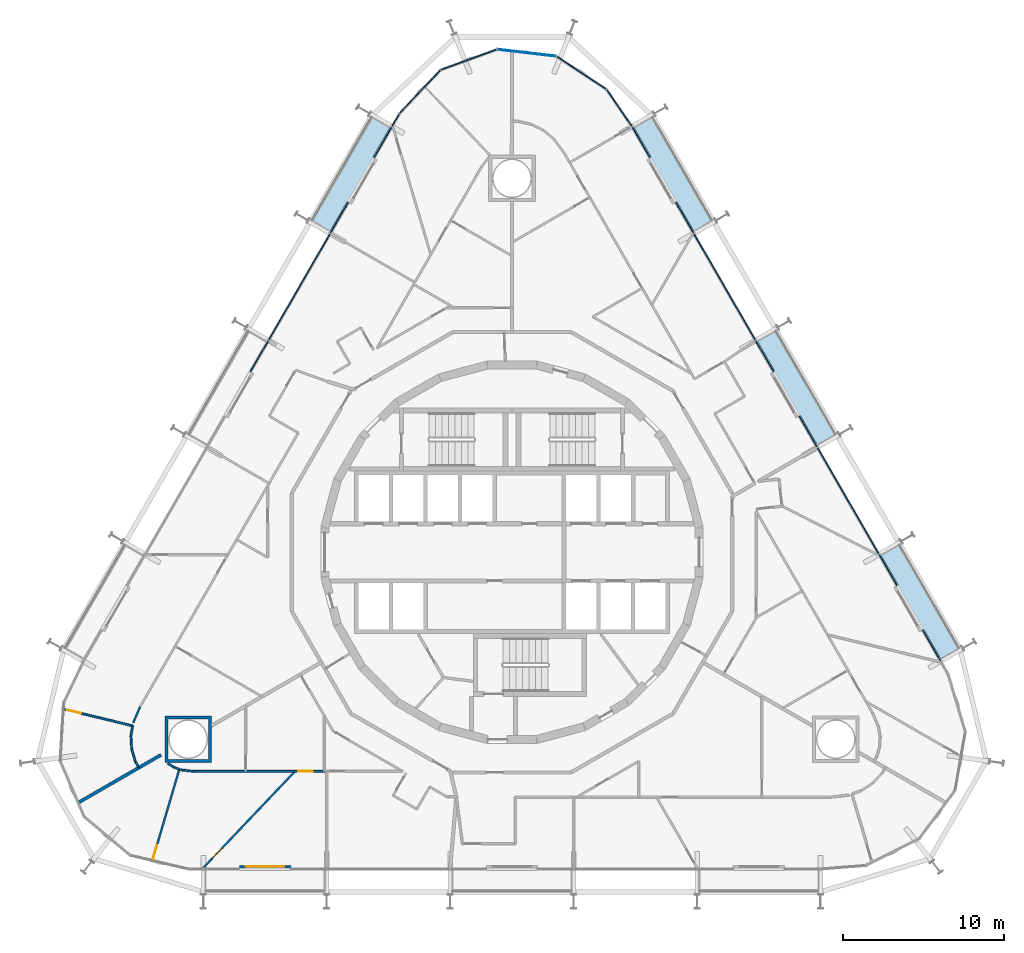
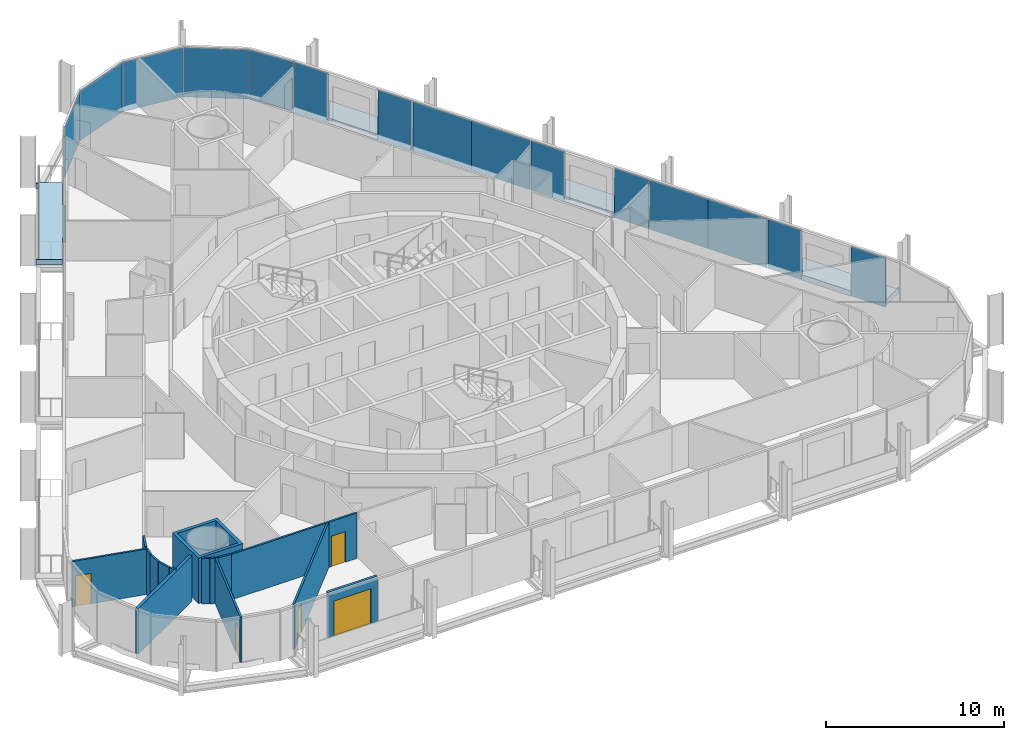
# One storey, part 12 of 21: 21 plates, 15 walls, 5 doors, 4 slabs, 5 openings, 3 elements without a shape of their own.
"""IFC4 building model written with IfcOpenShell, lengths in metres."""

from ifc_helpers import new_model, si_unit, direction, frame, frame_2d, origin, origin_2d, place, context, subcontext, project, spatial, polyline, rectangle, outline, extrude, material, layer, layer_set, type_object, element, fill, aggregate, save


model = new_model("IFC4")

# Units and contexts
model_context = context("Model", 3, precision=1e-05, world=origin(), true_north=direction((0.0, 1.0)))
body_context = subcontext(model_context, "Body", "Model", "MODEL_VIEW")
ifc_project = project(units=[si_unit("LENGTHUNIT", "METRE"), si_unit("AREAUNIT", "SQUARE_METRE"), si_unit("VOLUMEUNIT", "CUBIC_METRE"), si_unit("PLANEANGLEUNIT", "RADIAN"), si_unit("MASSUNIT", "GRAM", prefix="KILO")], contexts=[model_context])

# Site, building, storey
site_placement = place(None, origin())
site = spatial("IfcSite", under=ifc_project, at=site_placement, CompositionType="ELEMENT")
building_placement = place(site_placement, origin())
building = spatial("IfcBuilding", under=site, at=building_placement, Name="Spindle Arch Residences", CompositionType="ELEMENT")
storey_placement = place(building_placement, frame((0.0, 0.0, 62.89990234375)))
storey = spatial("IfcBuildingStorey", under=building, at=storey_placement, Name="L14", CompositionType="ELEMENT", Elevation=62.89990234375)

# Slabs
ifc_material_1 = material(Name="Concrete C40/50", Category="concrete")
ifc_layer_1 = layer(ifc_material_1, 0.3798828125)
ifc_layer_set_1 = layer_set([ifc_layer_1], Name="Balcony slab 380")
slab_type = type_object("IfcSlabType", Name="Balcony slab 380", PredefinedType="FLOOR", material=ifc_layer_set_1)
slab_1_placement = place(storey_placement, frame((0.0, 0.0, -0.3798828125)))
element("IfcSlab", 1, at=slab_1_placement, inside=storey, type_object=slab_type, Name="Balcony L14 bay 6", PredefinedType="FLOOR", context=body_context, shape_type="SweptSolid", body=[
    extrude(outline(polyline([(27.991455078125, -5.9228515625), (27.9541015625, -5.85791015625), (27.82421875, -5.93310546875), (24.134033203125, 0.458251953125), (24.263916015625, 0.533447265625), (24.2265625, 0.598388671875), (22.93603515625, -0.146728515625), (24.0185546875, -2.021728515625), (23.880126953125, -2.1015625), (25.47998046875, -4.873046875), (25.61865234375, -4.79296875), (26.701171875, -6.66796875), (27.991455078125, -5.9228515625)])), origin(), (0.0, 0.0, 1.0), 0.3798828125),
])
slab_2_placement = place(storey_placement, frame((0.0, 0.0, -0.3798828125)))
element("IfcSlab", 2, at=slab_2_placement, inside=storey, type_object=slab_type, Name="Balcony L14 bay 8", PredefinedType="FLOOR", context=body_context, shape_type="SweptSolid", body=[
    extrude(outline(polyline([(20.3115234375, 7.37939453125), (20.27392578125, 7.4443359375), (20.14404296875, 7.369384765625), (16.4541015625, 13.760498046875), (16.583984375, 13.835693359375), (16.54638671875, 13.900634765625), (15.256103515625, 13.155517578125), (16.338623046875, 11.280517578125), (16.199951171875, 11.20068359375), (17.800048828125, 8.42919921875), (17.9384765625, 8.50927734375), (19.02099609375, 6.63427734375), (20.3115234375, 7.37939453125)])), origin(), (0.0, 0.0, 1.0), 0.3798828125),
])
slab_3_placement = place(storey_placement, frame((0.0, 0.0, -0.3798828125)))
element("IfcSlab", 3, at=slab_3_placement, inside=storey, type_object=slab_type, Name="Balcony L14 bay 10", PredefinedType="FLOOR", context=body_context, shape_type="SweptSolid", body=[
    extrude(outline(polyline([(12.63134765625, 20.681640625), (12.593994140625, 20.74658203125), (12.4638671875, 20.671630859375), (8.77392578125, 27.06298828125), (8.90380859375, 27.137939453125), (8.866455078125, 27.202880859375), (7.575927734375, 26.457763671875), (8.658447265625, 24.582763671875), (8.52001953125, 24.5029296875), (10.119873046875, 21.731689453125), (10.258544921875, 21.8115234375), (11.341064453125, 19.9365234375), (12.63134765625, 20.681640625)])), origin(), (0.0, 0.0, 1.0), 0.3798828125),
])
slab_4_placement = place(storey_placement, frame((0.0, 0.0, -0.3798828125)))
element("IfcSlab", 4, at=slab_4_placement, inside=storey, type_object=slab_type, Name="Balcony L14 bay 14", PredefinedType="FLOOR", context=body_context, shape_type="SweptSolid", body=[
    extrude(outline(polyline([(-8.866455078125, 27.202880859375), (-8.90380859375, 27.137939453125), (-8.77392578125, 27.06298828125), (-12.4638671875, 20.671630859375), (-12.593994140625, 20.74658203125), (-12.63134765625, 20.681640625), (-11.341064453125, 19.9365234375), (-10.258544921875, 21.8115234375), (-10.119873046875, 21.731689453125), (-8.52001953125, 24.5029296875), (-8.658447265625, 24.582763671875), (-7.575927734375, 26.457763671875), (-8.866455078125, 27.202880859375)])), origin(), (0.0, 0.0, 1.0), 0.3798828125),
])

# Curtain wall, plates
ifc_material_2 = material(Name="Aluminium bronze unitised frame with tinted glass", Category="aluminium")
ifc_layer_2 = layer(ifc_material_2, 0.159912109375)
ifc_layer_set_2 = layer_set([ifc_layer_2], Name="CW-C typical residential unitised wall")
curtain_wall_type_1 = type_object("IfcCurtainWallType", Name="CW-C typical residential unitised wall", PredefinedType="NOTDEFINED", material=ifc_layer_set_2)
curtain_wall_1_placement = place(storey_placement, origin())
curtain_wall_1 = element("IfcCurtainWall", 5, at=curtain_wall_1_placement, inside=storey, type_object=curtain_wall_type_1, Name="CW-C L14 run 2", PredefinedType="NOTDEFINED")
ifc_material_3 = material(Name="Tinted double glazing over aluminium faced non-combustible spandrel zone (K0)", Category="aluminium")
ifc_layer_3 = layer(ifc_material_3, 0.06005859375)
ifc_layer_set_3 = layer_set([ifc_layer_3], Name="Unitised glass panel with E 60 spandrel zone")
plate_type = type_object("IfcPlateType", Name="Unitised glass panel with E 60 spandrel zone", PredefinedType="CURTAIN_PANEL", material=ifc_layer_set_3)
plate_1_placement = place(storey_placement, frame((26.101806640625, -5.7900390625, -0.3798828125), z_axis=(0.0, 0.0, 1.0), x_axis=(-0.5, 0.866025403784, 0.0)))
plate_1 = element("IfcPlate", 6, at=plate_1_placement, type_object=plate_type, Name="CW-C unit 05L", PredefinedType="CURTAIN_PANEL", context=body_context, shape_type="SweptSolid", body=[
    extrude(rectangle(XDim=2.2099609375, YDim=0.06005859375, at=origin_2d()), origin(), (0.0, 0.0, 1.0), 3.3798828125),
])
plate_2_placement = place(storey_placement, frame((23.396728515625, -1.104736328125, -0.3798828125), z_axis=(0.0, 0.0, 1.0), x_axis=(-0.5, 0.866025403784, 0.0)))
plate_2 = element("IfcPlate", 7, at=plate_2_placement, type_object=plate_type, Name="CW-C unit 05R", PredefinedType="CURTAIN_PANEL", context=body_context, shape_type="SweptSolid", body=[
    extrude(rectangle(XDim=2.2099609375, YDim=0.06005859375, at=origin_2d()), origin(), (0.0, 0.0, 1.0), 3.3798828125),
])
plate_3_placement = place(storey_placement, frame((21.86181640625, 1.553955078125, -0.3798828125), z_axis=(0.0, 0.0, 1.0), x_axis=(-0.5, 0.866025403784, 0.0)))
plate_3 = element("IfcPlate", 8, at=plate_3_placement, type_object=plate_type, Name="CW-C unit 06A", PredefinedType="CURTAIN_PANEL", context=body_context, shape_type="SweptSolid", body=[
    extrude(rectangle(XDim=3.81005859375, YDim=0.06005859375, at=origin_2d()), origin(), (0.0, 0.0, 1.0), 3.3798828125),
])
plate_4_placement = place(storey_placement, frame((19.956787109375, 4.853515625, -0.3798828125), z_axis=(0.0, 0.0, 1.0), x_axis=(-0.5, 0.866025403784, 0.0)))
plate_4 = element("IfcPlate", 9, at=plate_4_placement, type_object=plate_type, Name="CW-C unit 06B", PredefinedType="CURTAIN_PANEL", context=body_context, shape_type="SweptSolid", body=[
    extrude(rectangle(XDim=3.81005859375, YDim=0.06005859375, at=origin_2d()), origin(), (0.0, 0.0, 1.0), 3.3798828125),
])
plate_5_placement = place(storey_placement, frame((18.421875, 7.512451171875, -0.3798828125), z_axis=(0.0, 0.0, 1.0), x_axis=(-0.5, 0.866025403784, 0.0)))
plate_5 = element("IfcPlate", 10, at=plate_5_placement, type_object=plate_type, Name="CW-C unit 07L", PredefinedType="CURTAIN_PANEL", context=body_context, shape_type="SweptSolid", body=[
    extrude(rectangle(XDim=2.2099609375, YDim=0.06005859375, at=origin_2d()), origin(), (0.0, 0.0, 1.0), 3.3798828125),
])
plate_6_placement = place(storey_placement, frame((15.716796875, 12.197509765625, -0.3798828125), z_axis=(0.0, 0.0, 1.0), x_axis=(-0.5, 0.866025403784, 0.0)))
plate_6 = element("IfcPlate", 11, at=plate_6_placement, type_object=plate_type, Name="CW-C unit 07R", PredefinedType="CURTAIN_PANEL", context=body_context, shape_type="SweptSolid", body=[
    extrude(rectangle(XDim=2.2099609375, YDim=0.06005859375, at=origin_2d()), origin(), (0.0, 0.0, 1.0), 3.3798828125),
])
plate_7_placement = place(storey_placement, frame((14.181640625, 14.856201171875, -0.3798828125), z_axis=(0.0, 0.0, 1.0), x_axis=(-0.5, 0.866025403784, 0.0)))
plate_7 = element("IfcPlate", 12, at=plate_7_placement, type_object=plate_type, Name="CW-C unit 08A", PredefinedType="CURTAIN_PANEL", context=body_context, shape_type="SweptSolid", body=[
    extrude(rectangle(XDim=3.81005859375, YDim=0.06005859375, at=origin_2d()), origin(), (0.0, 0.0, 1.0), 3.3798828125),
])
plate_8_placement = place(storey_placement, frame((12.27685546875, 18.156005859375, -0.3798828125), z_axis=(0.0, 0.0, 1.0), x_axis=(-0.5, 0.866025403784, 0.0)))
plate_8 = element("IfcPlate", 13, at=plate_8_placement, type_object=plate_type, Name="CW-C unit 08B", PredefinedType="CURTAIN_PANEL", context=body_context, shape_type="SweptSolid", body=[
    extrude(rectangle(XDim=3.81005859375, YDim=0.06005859375, at=origin_2d()), origin(), (0.0, 0.0, 1.0), 3.3798828125),
])
plate_9_placement = place(storey_placement, frame((10.74169921875, 20.814697265625, -0.3798828125), z_axis=(0.0, 0.0, 1.0), x_axis=(-0.5, 0.866025403784, 0.0)))
plate_9 = element("IfcPlate", 14, at=plate_9_placement, type_object=plate_type, Name="CW-C unit 09L", PredefinedType="CURTAIN_PANEL", context=body_context, shape_type="SweptSolid", body=[
    extrude(rectangle(XDim=2.2099609375, YDim=0.06005859375, at=origin_2d()), origin(), (0.0, 0.0, 1.0), 3.3798828125),
])
plate_10_placement = place(storey_placement, frame((8.03662109375, 25.499755859375, -0.3798828125), z_axis=(0.0, 0.0, 1.0), x_axis=(-0.5, 0.866025403784, 0.0)))
plate_10 = element("IfcPlate", 15, at=plate_10_placement, type_object=plate_type, Name="CW-C unit 09R", PredefinedType="CURTAIN_PANEL", context=body_context, shape_type="SweptSolid", body=[
    extrude(rectangle(XDim=2.2099609375, YDim=0.06005859375, at=origin_2d()), origin(), (0.0, 0.0, 1.0), 3.3798828125),
])
aggregate(curtain_wall_1, [plate_1, plate_2, plate_3, plate_4, plate_5, plate_6, plate_7, plate_8, plate_9, plate_10])

ifc_material_4 = material(Name="Aluminium bronze unitised frame with tinted glass", Category="aluminium")
ifc_layer_4 = layer(ifc_material_4, 0.159912109375)
ifc_layer_set_4 = layer_set([ifc_layer_4], Name="CW-D corner wall on the fillet arcs")
curtain_wall_type_2 = type_object("IfcCurtainWallType", Name="CW-D corner wall on the fillet arcs", PredefinedType="NOTDEFINED", material=ifc_layer_set_4)
curtain_wall_2_placement = place(storey_placement, origin())
curtain_wall_2 = element("IfcCurtainWall", 16, at=curtain_wall_2_placement, inside=storey, type_object=curtain_wall_type_2, Name="CW-D L14 run 3", PredefinedType="NOTDEFINED")
plate_11_placement = place(storey_placement, frame((6.673095703125, 27.643798828125, -0.3798828125), z_axis=(0.0, 0.0, 1.0), x_axis=(-0.565500718711, 0.824747802142, 0.0)))
plate_11 = element("IfcPlate", 17, at=plate_11_placement, type_object=plate_type, Name="CW-D unit 00", PredefinedType="CURTAIN_PANEL", context=body_context, shape_type="SweptSolid", body=[
    extrude(rectangle(XDim=2.755126953125, YDim=0.06005859375, at=origin_2d()), origin(), (0.0, 0.0, 1.0), 3.3798828125),
])
plate_12_placement = place(storey_placement, frame((4.3203125, 29.82861328125, -0.3798828125), z_axis=(0.0, 0.0, 1.0), x_axis=(-0.835487811704, 0.549508977628, 0.0)))
plate_12 = element("IfcPlate", 18, at=plate_12_placement, type_object=plate_type, Name="CW-D unit 01", PredefinedType="CURTAIN_PANEL", context=body_context, shape_type="SweptSolid", body=[
    extrude(rectangle(XDim=3.666748046875, YDim=0.06005859375, at=origin_2d()), origin(), (0.0, 0.0, 1.0), 3.3798828125),
])
plate_13_placement = place(storey_placement, frame((0.912841796875, 31.06884765625, -0.3798828125), z_axis=(0.0, 0.0, 1.0), x_axis=(-0.993238357591, 0.116092915414, 0.0)))
plate_13 = element("IfcPlate", 19, at=plate_13_placement, type_object=plate_type, Name="CW-D unit 02", PredefinedType="CURTAIN_PANEL", context=body_context, shape_type="SweptSolid", body=[
    extrude(rectangle(XDim=3.666748046875, YDim=0.06005859375, at=origin_2d()), origin(), (0.0, 0.0, 1.0), 3.3798828125),
])
plate_14_placement = place(storey_placement, frame((-2.68896484375, 30.64794921875, -0.3798828125), z_axis=(0.0, 0.0, 1.0), x_axis=(-0.939692621437, -0.342020141538, 0.0)))
plate_14 = element("IfcPlate", 20, at=plate_14_placement, type_object=plate_type, Name="CW-D unit 03", PredefinedType="CURTAIN_PANEL", context=body_context, shape_type="SweptSolid", body=[
    extrude(rectangle(XDim=3.666748046875, YDim=0.06005859375, at=origin_2d()), origin(), (0.0, 0.0, 1.0), 3.3798828125),
])
plate_15_placement = place(storey_placement, frame((-5.71875, 28.6552734375, -0.3798828125), z_axis=(0.0, 0.0, 1.0), x_axis=(-0.686241639236, -0.727373640284, 0.0)))
plate_15 = element("IfcPlate", 21, at=plate_15_placement, type_object=plate_type, Name="CW-D unit 04", PredefinedType="CURTAIN_PANEL", context=body_context, shape_type="SweptSolid", body=[
    extrude(rectangle(XDim=3.666748046875, YDim=0.06005859375, at=origin_2d()), origin(), (0.0, 0.0, 1.0), 3.3798828125),
])
plate_16_placement = place(storey_placement, frame((-7.2333984375, 26.891357421875, -0.3798828125), z_axis=(0.0, 0.0, 1.0), x_axis=(-0.5, -0.866025403784, 0.0)))
plate_16 = element("IfcPlate", 22, at=plate_16_placement, type_object=plate_type, Name="CW-D unit 05", PredefinedType="CURTAIN_PANEL", context=body_context, shape_type="SweptSolid", body=[
    extrude(rectangle(XDim=0.88330078125, YDim=0.06005859375, at=origin_2d()), origin(), (0.0, 0.0, 1.0), 3.3798828125),
])
aggregate(curtain_wall_2, [plate_11, plate_12, plate_13, plate_14, plate_15, plate_16])

curtain_wall_3_placement = place(storey_placement, origin())
curtain_wall_3 = element("IfcCurtainWall", 23, at=curtain_wall_3_placement, inside=storey, type_object=curtain_wall_type_1, Name="CW-C L14 run 4", PredefinedType="NOTDEFINED")
plate_17_placement = place(storey_placement, frame((-8.03662109375, 25.499755859375, -0.3798828125), z_axis=(0.0, 0.0, 1.0), x_axis=(-0.5, -0.866025403784, 0.0)))
plate_17 = element("IfcPlate", 24, at=plate_17_placement, type_object=plate_type, Name="CW-C unit 13L", PredefinedType="CURTAIN_PANEL", context=body_context, shape_type="SweptSolid", body=[
    extrude(rectangle(XDim=2.2099609375, YDim=0.06005859375, at=origin_2d()), origin(), (0.0, 0.0, 1.0), 3.3798828125),
])
plate_18_placement = place(storey_placement, frame((-10.74169921875, 20.814697265625, -0.3798828125), z_axis=(0.0, 0.0, 1.0), x_axis=(-0.5, -0.866025403784, 0.0)))
plate_18 = element("IfcPlate", 25, at=plate_18_placement, type_object=plate_type, Name="CW-C unit 13R", PredefinedType="CURTAIN_PANEL", context=body_context, shape_type="SweptSolid", body=[
    extrude(rectangle(XDim=2.2099609375, YDim=0.06005859375, at=origin_2d()), origin(), (0.0, 0.0, 1.0), 3.3798828125),
])
plate_19_placement = place(storey_placement, frame((-12.27685546875, 18.156005859375, -0.3798828125), z_axis=(0.0, 0.0, 1.0), x_axis=(-0.5, -0.866025403784, 0.0)))
plate_19 = element("IfcPlate", 26, at=plate_19_placement, type_object=plate_type, Name="CW-C unit 14A", PredefinedType="CURTAIN_PANEL", context=body_context, shape_type="SweptSolid", body=[
    extrude(rectangle(XDim=3.81005859375, YDim=0.06005859375, at=origin_2d()), origin(), (0.0, 0.0, 1.0), 3.3798828125),
])
plate_20_placement = place(storey_placement, frame((-14.181640625, 14.856201171875, -0.3798828125), z_axis=(0.0, 0.0, 1.0), x_axis=(-0.5, -0.866025403784, 0.0)))
plate_20 = element("IfcPlate", 27, at=plate_20_placement, type_object=plate_type, Name="CW-C unit 14B", PredefinedType="CURTAIN_PANEL", context=body_context, shape_type="SweptSolid", body=[
    extrude(rectangle(XDim=3.81005859375, YDim=0.06005859375, at=origin_2d()), origin(), (0.0, 0.0, 1.0), 3.3798828125),
])
plate_21_placement = place(storey_placement, frame((-15.716796875, 12.197509765625, -0.3798828125), z_axis=(0.0, 0.0, 1.0), x_axis=(-0.5, -0.866025403784, 0.0)))
plate_21 = element("IfcPlate", 28, at=plate_21_placement, type_object=plate_type, Name="CW-C unit 15L", PredefinedType="CURTAIN_PANEL", context=body_context, shape_type="SweptSolid", body=[
    extrude(rectangle(XDim=2.2099609375, YDim=0.06005859375, at=origin_2d()), origin(), (0.0, 0.0, 1.0), 3.3798828125),
])
aggregate(curtain_wall_3, [plate_17, plate_18, plate_19, plate_20, plate_21])

# Wall
ifc_material_5 = material(Name="Plasterboard on steel studs", Category="steel")
ifc_layer_5 = layer(ifc_material_5, 0.1201171875)
ifc_layer_set_5 = layer_set([ifc_layer_5], Name="Flat partition 120")
wall_type_1 = type_object("IfcWallType", Name="Flat partition 120", PredefinedType="PARTITIONING", material=ifc_layer_set_5)
wall_1_placement = place(storey_placement, frame((-23.563720703125, -10.60595703125, 0.0), z_axis=(0.0, 0.0, 1.0), x_axis=(0.396195073027, 0.918166359713, 0.0)))
element("IfcWall", 29, at=wall_1_placement, inside=storey, type_object=wall_type_1, Name="Flat partition R1C1-W073", PredefinedType="PARTITIONING", context=body_context, shape_type="SweptSolid", body=[
    extrude(rectangle(XDim=1.0869140625, YDim=0.1201171875, at=frame_2d((0.54345703125, 0.0))), origin(), (0.0, 0.0, 1.0), 3.1201171875),
])

# Wall, opening, door
wall_2_placement = place(storey_placement, frame((-27.8828125, -9.76220703125, 0.0), z_axis=(0.0, 0.0, 1.0), x_axis=(0.972097015458, -0.234579181809, 0.0)))
wall_2 = element("IfcWall", 30, at=wall_2_placement, inside=storey, type_object=wall_type_1, Name="Flat partition R1C1-W074", PredefinedType="PARTITIONING", context=body_context, shape_type="SweptSolid", body=[
    extrude(rectangle(XDim=4.40869140625, YDim=0.1201171875, at=frame_2d((2.204345703125, 0.0))), origin(), (0.0, 0.0, 1.0), 3.1201171875),
])
opening_1_placement = place(wall_2_placement, frame((0.199951171875, 0.0, 0.0)))
opening_1 = element("IfcOpeningElement", 31, at=opening_1_placement, cuts=wall_2, Name="Opening R1C1-ID16", PredefinedType="OPENING", context=body_context, shape_type="SweptSolid", body=[
    extrude(rectangle(XDim=0.89990234375, YDim=2.10009765625, at=frame_2d((0.449951171875, 1.050048828125))), frame((0.0, 0.070068359375, 0.0), z_axis=(0.0, -1.0, 0.0), x_axis=(1.0, 0.0, 0.0)), (0.0, 0.0, 1.0), 0.14013671875),
])
ifc_material_6 = material(Name="Timber door set", Category="wood")
door_type_1 = type_object("IfcDoorType", Name="Room door 900x2100", OperationType="NOTDEFINED", PredefinedType="DOOR", material=ifc_material_6)
door_1_placement = place(opening_1_placement, origin())
door_1 = element("IfcDoor", 32, at=door_1_placement, inside=storey, type_object=door_type_1, Name="Room door R1C1-ID16", OperationType="SINGLE_SWING_RIGHT", OverallHeight=2.10009765625, OverallWidth=0.89990234375, PredefinedType="DOOR", context=body_context, shape_type="SweptSolid", body=[
    extrude(rectangle(XDim=0.89990234375, YDim=2.10009765625, at=frame_2d((0.449951171875, 1.050048828125))), frame((0.0, 0.02490234375, 0.0), z_axis=(0.0, -1.0, 0.0), x_axis=(1.0, 0.0, 0.0)), (0.0, 0.0, 1.0), 0.050048828125),
])
fill(opening_1, door_1)

# Walls
wall_3_placement = place(storey_placement, frame((-23.59716796875, -10.79638671875, 0.0), z_axis=(0.0, 0.0, 1.0), x_axis=(-0.173610040386, -0.984814476882, 0.0)))
element("IfcWall", 33, at=wall_3_placement, inside=storey, type_object=wall_type_1, Name="Flat partition R1C1-W075", PredefinedType="PARTITIONING", context=body_context, shape_type="SweptSolid", body=[
    extrude(rectangle(XDim=0.6357421875, YDim=0.1201171875, at=frame_2d((0.31787109375, 0.0))), origin(), (0.0, 0.0, 1.0), 3.1201171875),
])
wall_4_placement = place(storey_placement, frame((-23.70751953125, -11.42236328125, 0.0), z_axis=(0.0, 0.0, 1.0), x_axis=(0.058031280246, -0.998314765248, 0.0)))
element("IfcWall", 34, at=wall_4_placement, inside=storey, type_object=wall_type_1, Name="Flat partition R1C1-W076", PredefinedType="PARTITIONING", context=body_context, shape_type="SweptSolid", body=[
    extrude(rectangle(XDim=0.828857421875, YDim=0.1201171875, at=frame_2d((0.41455078125, 0.0))), origin(), (0.0, 0.0, 1.0), 3.1201171875),
])
wall_5_placement = place(storey_placement, frame((-23.659423828125, -12.249755859375, 0.0), z_axis=(0.0, 0.0, 1.0), x_axis=(0.286834510868, -0.957980147694, 0.0)))
element("IfcWall", 35, at=wall_5_placement, inside=storey, type_object=wall_type_1, Name="Flat partition R1C1-W077", PredefinedType="PARTITIONING", context=body_context, shape_type="SweptSolid", body=[
    extrude(rectangle(XDim=0.8291015625, YDim=0.1201171875, at=frame_2d((0.41455078125, 0.0))), origin(), (0.0, 0.0, 1.0), 3.1201171875),
])
wall_6_placement = place(storey_placement, frame((-23.421630859375, -13.0439453125, 0.0), z_axis=(0.0, 0.0, 1.0), x_axis=(0.50013037474, -0.865950118807, 0.0)))
element("IfcWall", 36, at=wall_6_placement, inside=storey, type_object=wall_type_1, Name="Flat partition R1C1-W078", PredefinedType="PARTITIONING", context=body_context, shape_type="SweptSolid", body=[
    extrude(rectangle(XDim=0.41455078125, YDim=0.1201171875, at=frame_2d((0.207275390625, 0.0))), origin(), (0.0, 0.0, 1.0), 3.1201171875),
])
wall_7_placement = place(storey_placement, frame((-20.657470703125, -13.513671875, 0.0), z_axis=(0.0, 0.0, 1.0), x_axis=(-0.939665068469, 0.34209583321, 0.0)))
element("IfcWall", 37, at=wall_7_placement, inside=storey, type_object=wall_type_1, Name="Flat partition R1C1-W086", PredefinedType="PARTITIONING", context=body_context, shape_type="SweptSolid", body=[
    extrude(rectangle(XDim=0.388916015625, YDim=0.1201171875, at=frame_2d((0.1943359375, 0.0))), origin(), (0.0, 0.0, 1.0), 3.1201171875),
])
wall_8_placement = place(storey_placement, frame((-21.02294921875, -13.380615234375, 0.0), z_axis=(0.0, 0.0, 1.0), x_axis=(-0.835339231854, 0.549734815821, 0.0)))
element("IfcWall", 38, at=wall_8_placement, inside=storey, type_object=wall_type_1, Name="Flat partition R1C1-W087", PredefinedType="PARTITIONING", context=body_context, shape_type="SweptSolid", body=[
    extrude(rectangle(XDim=0.454833984375, YDim=0.1201171875, at=frame_2d((0.2275390625, 0.0))), origin(), (0.0, 0.0, 1.0), 3.1201171875),
])

# Wall, opening, door
wall_9_placement = place(storey_placement, frame((-22.395751953125, -19.26611328125, 0.0), z_axis=(0.0, 0.0, 1.0), x_axis=(0.282896205585, 0.959150528783, 0.0)))
wall_9 = element("IfcWall", 39, at=wall_9_placement, inside=storey, type_object=wall_type_1, Name="Flat partition R1C1-W088", PredefinedType="PARTITIONING", context=body_context, shape_type="SweptSolid", body=[
    extrude(rectangle(XDim=6.01171875, YDim=0.1201171875, at=frame_2d((3.005859375, 0.0))), origin(), (0.0, 0.0, 1.0), 3.1201171875),
])
opening_2_placement = place(wall_9_placement, frame((0.199951171875, 0.0, 0.0)))
opening_2 = element("IfcOpeningElement", 40, at=opening_2_placement, cuts=wall_9, Name="Opening R1C1-ID22", PredefinedType="OPENING", context=body_context, shape_type="SweptSolid", body=[
    extrude(rectangle(XDim=0.89990234375, YDim=2.10009765625, at=frame_2d((0.449951171875, 1.050048828125))), frame((0.0, 0.070068359375, 0.0), z_axis=(0.0, -1.0, 0.0), x_axis=(1.0, 0.0, 0.0)), (0.0, 0.0, 1.0), 0.14013671875),
])
door_2_placement = place(opening_2_placement, origin())
door_2 = element("IfcDoor", 41, at=door_2_placement, inside=storey, type_object=door_type_1, Name="Room door R1C1-ID22", OperationType="SINGLE_SWING_LEFT", OverallHeight=2.10009765625, OverallWidth=0.89990234375, PredefinedType="DOOR", context=body_context, shape_type="SweptSolid", body=[
    extrude(rectangle(XDim=0.89990234375, YDim=2.10009765625, at=frame_2d((0.449951171875, 1.050048828125))), frame((0.0, 0.02490234375, 0.0), z_axis=(0.0, -1.0, 0.0), x_axis=(1.0, 0.0, 0.0)), (0.0, 0.0, 1.0), 0.050048828125),
])
fill(opening_2, door_2)

# Wall
wall_10_placement = place(storey_placement, frame((-20.595458984375, -13.536376953125, 0.0), z_axis=(0.0, 0.0, 1.0), x_axis=(0.993259655268, -0.115910556968, 0.0)))
element("IfcWall", 42, at=wall_10_placement, inside=storey, type_object=wall_type_1, Name="Flat partition R1C1-W090", PredefinedType="PARTITIONING", context=body_context, shape_type="SweptSolid", body=[
    extrude(rectangle(XDim=0.806640625, YDim=0.1201171875, at=frame_2d((0.4033203125, 0.0))), origin(), (0.0, 0.0, 1.0), 3.1201171875),
])

# Wall, opening, door
wall_11_placement = place(storey_placement, frame((-19.794189453125, -13.6298828125, 0.0), z_axis=(0.0, 0.0, 1.0), x_axis=(1.0, 0.0, 0.0)))
wall_11 = element("IfcWall", 43, at=wall_11_placement, inside=storey, type_object=wall_type_1, Name="Flat partition R1C1-W091", PredefinedType="PARTITIONING", context=body_context, shape_type="SweptSolid", body=[
    extrude(rectangle(XDim=8.15576171875, YDim=0.1201171875, at=frame_2d((4.077880859375, 0.0))), origin(), (0.0, 0.0, 1.0), 3.1201171875),
])
opening_3_placement = place(wall_11_placement, frame((6.49072265625, 0.0, 0.0)))
opening_3 = element("IfcOpeningElement", 44, at=opening_3_placement, cuts=wall_11, Name="Opening R1C1-ID20", PredefinedType="OPENING", context=body_context, shape_type="SweptSolid", body=[
    extrude(rectangle(XDim=0.89990234375, YDim=2.10009765625, at=frame_2d((0.449951171875, 1.050048828125))), frame((0.0, 0.070068359375, 0.0), z_axis=(0.0, -1.0, 0.0), x_axis=(1.0, 0.0, 0.0)), (0.0, 0.0, 1.0), 0.14013671875),
])
door_3_placement = place(opening_3_placement, origin())
door_3 = element("IfcDoor", 45, at=door_3_placement, inside=storey, type_object=door_type_1, Name="Room door R1C1-ID20", OperationType="SINGLE_SWING_LEFT", OverallHeight=2.10009765625, OverallWidth=0.89990234375, PredefinedType="DOOR", context=body_context, shape_type="SweptSolid", body=[
    extrude(rectangle(XDim=0.89990234375, YDim=2.10009765625, at=frame_2d((0.449951171875, 1.050048828125))), frame((0.0, 0.02490234375, 0.0), z_axis=(0.0, -1.0, 0.0), x_axis=(1.0, 0.0, 0.0)), (0.0, 0.0, 1.0), 0.050048828125),
])
fill(opening_3, door_3)

wall_12_placement = place(storey_placement, frame((-19.2001953125, -19.6298828125, 0.0), z_axis=(0.0, 0.0, 1.0), x_axis=(0.688544699396, 0.72519390299, 0.0)))
wall_12 = element("IfcWall", 46, at=wall_12_placement, inside=storey, type_object=wall_type_1, Name="Flat partition R1C1-W093", PredefinedType="PARTITIONING", context=body_context, shape_type="SweptSolid", body=[
    extrude(rectangle(XDim=8.273681640625, YDim=0.1201171875, at=frame_2d((4.13671875, 0.0))), origin(), (0.0, 0.0, 1.0), 3.1201171875),
])
opening_4_placement = place(wall_12_placement, frame((0.800048828125, 0.0, 0.0)))
opening_4 = element("IfcOpeningElement", 47, at=opening_4_placement, cuts=wall_12, Name="Opening R1C1-ID21", PredefinedType="OPENING", context=body_context, shape_type="SweptSolid", body=[
    extrude(rectangle(XDim=0.89990234375, YDim=2.10009765625, at=frame_2d((0.449951171875, 1.050048828125))), frame((0.0, 0.070068359375, 0.0), z_axis=(0.0, -1.0, 0.0), x_axis=(1.0, 0.0, 0.0)), (0.0, 0.0, 1.0), 0.14013671875),
])
door_4_placement = place(opening_4_placement, origin())
door_4 = element("IfcDoor", 48, at=door_4_placement, inside=storey, type_object=door_type_1, Name="Room door R1C1-ID21", OperationType="SINGLE_SWING_LEFT", OverallHeight=2.10009765625, OverallWidth=0.89990234375, PredefinedType="DOOR", context=body_context, shape_type="SweptSolid", body=[
    extrude(rectangle(XDim=0.89990234375, YDim=2.10009765625, at=frame_2d((0.449951171875, 1.050048828125))), frame((0.0, 0.02490234375, 0.0), z_axis=(0.0, -1.0, 0.0), x_axis=(1.0, 0.0, 0.0)), (0.0, 0.0, 1.0), 0.050048828125),
])
fill(opening_4, door_4)

# Wall
ifc_material_7 = material(Name="Calcium silicate block, plastered")
ifc_layer_6 = layer(ifc_material_7, 0.199951171875)
ifc_layer_set_6 = layer_set([ifc_layer_6], Name="Flat party wall 200")
wall_type_2 = type_object("IfcWallType", Name="Flat party wall 200", PredefinedType="STANDARD", material=ifc_layer_set_6)
wall_13_placement = place(storey_placement, frame((-27.02490234375, -15.602783203125, 0.0), z_axis=(0.0, 0.0, 1.0), x_axis=(0.866020924479, 0.500007758305, 0.0)))
element("IfcWall", 49, at=wall_13_placement, inside=storey, type_object=wall_type_2, Name="Flat party wall R1C1-W025", PredefinedType="STANDARD", context=body_context, shape_type="SweptSolid", body=[
    extrude(rectangle(XDim=6.0, YDim=0.199951171875, at=frame_2d((3.0, 0.0))), origin(), (0.0, 0.0, 1.0), 3.1201171875),
])

# Wall, opening, door
ifc_material_8 = material(Name="Non-combustible mineral wool insulated aluminium faced external wall (K0)", Category="aluminium")
ifc_layer_7 = layer(ifc_material_8, 0.159912109375)
ifc_layer_set_7 = layer_set([ifc_layer_7], Name="Insulated external wall panel 160")
wall_type_3 = type_object("IfcWallType", Name="Insulated external wall panel 160", PredefinedType="STANDARD", material=ifc_layer_set_7)
wall_14_placement = place(storey_placement, frame((-16.960205078125, -19.5498046875, 0.0), z_axis=(0.0, 0.0, 1.0), x_axis=(1.0, 0.0, 0.0)))
wall_14 = element("IfcWall", 50, at=wall_14_placement, inside=storey, type_object=wall_type_3, Name="External wall L14 bay 22", PredefinedType="STANDARD", context=body_context, shape_type="SweptSolid", body=[
    extrude(rectangle(XDim=3.199951171875, YDim=0.159912109375, at=frame_2d((1.60009765625, 0.0))), origin(), (0.0, 0.0, 1.0), 3.1201171875),
])
opening_5_placement = place(wall_14_placement, frame((0.39990234375, 0.0, 0.0)))
opening_5 = element("IfcOpeningElement", 51, at=opening_5_placement, cuts=wall_14, Name="Opening BD22", PredefinedType="OPENING", context=body_context, shape_type="SweptSolid", body=[
    extrude(rectangle(XDim=2.39990234375, YDim=2.39990234375, at=frame_2d((1.199951171875, 1.199951171875))), frame((0.0, 0.08984375, 0.0), z_axis=(0.0, -1.0, 0.0), x_axis=(1.0, 0.0, 0.0)), (0.0, 0.0, 1.0), 0.179931640625),
])
ifc_material_9 = material(Name="Bronze aluminium frame, tinted double glazing", Category="aluminium")
door_type_2 = type_object("IfcDoorType", Name="Sliding glazed balcony door 2400x2400", OperationType="DOUBLE_DOOR_SLIDING", PredefinedType="DOOR", material=ifc_material_9)
door_5_placement = place(opening_5_placement, origin())
door_5 = element("IfcDoor", 52, at=door_5_placement, inside=storey, type_object=door_type_2, Name="Balcony door BD22", OperationType="DOUBLE_DOOR_SLIDING", OverallHeight=2.39990234375, OverallWidth=2.39990234375, PredefinedType="DOOR", context=body_context, shape_type="SweptSolid", body=[
    extrude(rectangle(XDim=2.39990234375, YDim=2.39990234375, at=frame_2d((1.199951171875, 1.199951171875))), frame((0.0, 0.02490234375, 0.0), z_axis=(0.0, -1.0, 0.0), x_axis=(1.0, 0.0, 0.0)), (0.0, 0.0, 1.0), 0.050048828125),
])
fill(opening_5, door_5)

# Wall
ifc_material_10 = material(Name="Calcium silicate block, plastered")
ifc_layer_8 = layer(ifc_material_10, 0.199951171875)
ifc_layer_set_8 = layer_set([ifc_layer_8], Name="Mega-column casing wall 200")
wall_type_4 = type_object("IfcWallType", Name="Mega-column casing wall 200", PredefinedType="STANDARD", material=ifc_layer_set_8)
wall_15_placement = place(storey_placement, origin())
element("IfcWall", 53, at=wall_15_placement, inside=storey, type_object=wall_type_4, Name="Mega-column casing wall R1C1-WC02", PredefinedType="STANDARD", context=body_context, shape_type="SweptSolid", body=[
    extrude(outline(polyline([(-18.693603515625, -10.179931640625), (-18.693603515625, -13.079833984375), (-21.593505859375, -13.079833984375), (-21.593505859375, -10.179931640625), (-18.693603515625, -10.179931640625)]), holes=[polyline([(-21.3935546875, -12.8798828125), (-18.8935546875, -12.8798828125), (-18.8935546875, -10.3798828125), (-21.3935546875, -10.3798828125), (-21.3935546875, -12.8798828125)])]), origin(), (0.0, 0.0, 1.0), 3.1201171875),
])

save(model, "model.ifc")
